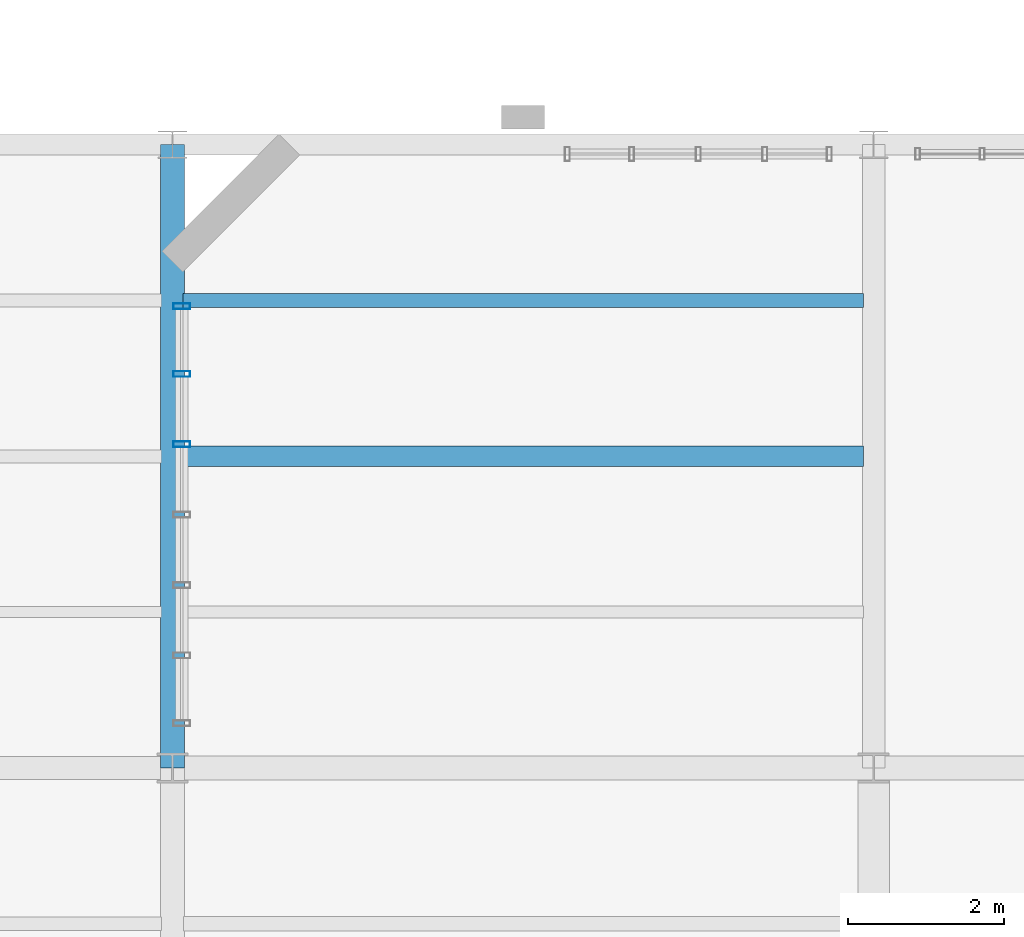
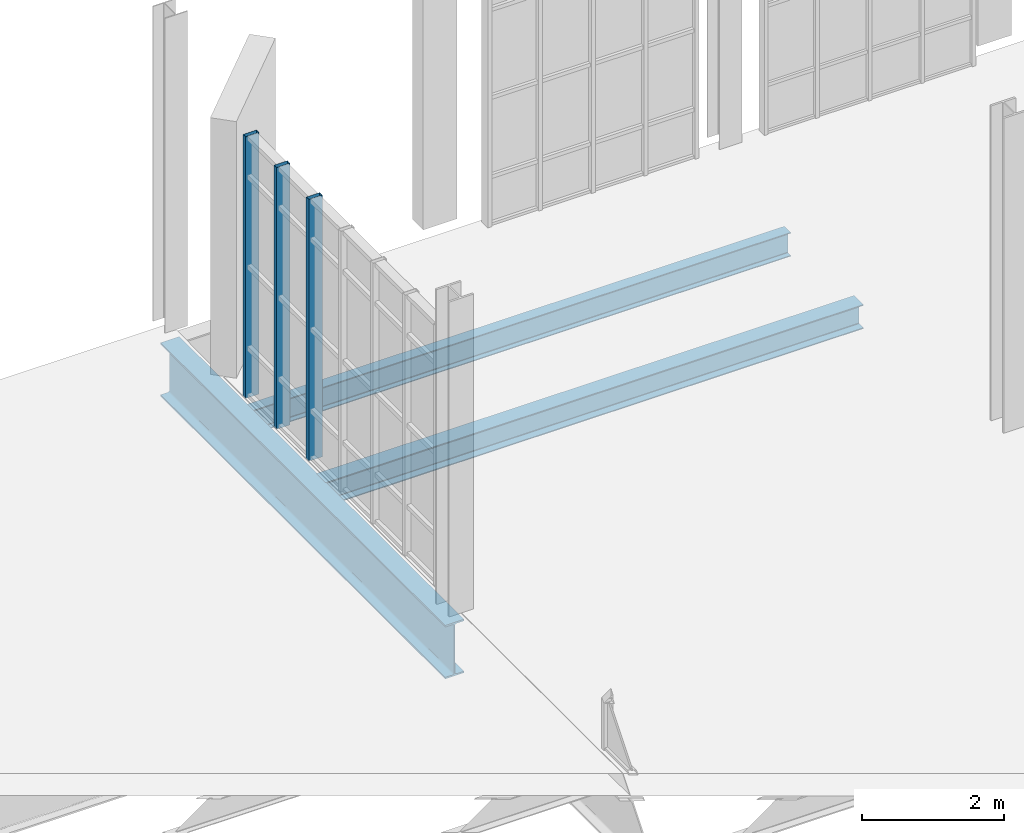
# One storey, part 97 of 189: 3 beams, 3 members, 1 element without a shape of its own.
"""IFC4 building model written with IfcOpenShell, lengths in metres."""

from ifc_helpers import new_model, si_unit, direction, frame, origin, origin_2d, place, context, subcontext, project, spatial, hollow_rectangle, i_section, extrude, material, layer, layer_set, material_profile, profile_set, type_object, element, aggregate, save


model = new_model("IFC4")

# Units and contexts
model_context = context("Model", 3, precision=1e-05, world=origin(), true_north=direction((0.0, 1.0)))
body_context = subcontext(model_context, "Body", "Model", "MODEL_VIEW")
ifc_project = project(units=[si_unit("LENGTHUNIT", "METRE"), si_unit("AREAUNIT", "SQUARE_METRE"), si_unit("VOLUMEUNIT", "CUBIC_METRE"), si_unit("PLANEANGLEUNIT", "RADIAN"), si_unit("MASSUNIT", "GRAM", prefix="KILO"), si_unit("THERMODYNAMICTEMPERATUREUNIT", "KELVIN"), si_unit("POWERUNIT", "WATT")], contexts=[model_context])

# Site, building, storey
site_placement = place(None, origin())
site = spatial("IfcSite", under=ifc_project, at=site_placement, CompositionType="ELEMENT")
building_placement = place(site_placement, origin())
building = spatial("IfcBuilding", under=site, at=building_placement, Name="Zelmaris Science Centre", CompositionType="ELEMENT")
storey_placement = place(building_placement, origin())
storey = spatial("IfcBuildingStorey", under=building, at=storey_placement, Name="L00", CompositionType="ELEMENT", Elevation=0.0)

# Curtain wall, members
ifc_material_1 = material(Name="Anodised architectural aluminium 6063-T6", Category="aluminium")
ifc_layer = layer(ifc_material_1, 0.199951171875, Name="Anodised architectural aluminium 6063-T6")
ifc_layer_set = layer_set([ifc_layer], Name="Anodised architectural aluminium 6063-T6")
curtain_wall_type = type_object("IfcCurtainWallType", Name="Curtain Wall CW-02", PredefinedType="USERDEFINED", material=ifc_layer_set)
curtain_wall_placement = place(storey_placement, origin())
curtain_wall = element("IfcCurtainWall", 1, at=curtain_wall_placement, inside=storey, type_object=curtain_wall_type, Name="L00 Unitised curtain wall 82", ObjectType="GLAZED CURTAIN WALL", PredefinedType="USERDEFINED")
ifc_material_profile_1 = material_profile(ifc_material_1, hollow_rectangle(XDim=0.074951171875, YDim=0.219970703125, WallThickness=0.0048828125, at=origin_2d()), Name="ALU-MUL-75X220")
ifc_profile_set_1 = profile_set([ifc_material_profile_1], Name="Anodised architectural aluminium 6063-T6")
member_type = type_object("IfcMemberType", Name="ALU-MUL-75X220", PredefinedType="MULLION", material=ifc_profile_set_1)
member_1_placement = place(storey_placement, frame((90.1201171875, 84.1533203125, -0.014892578125), z_axis=(0.0, 0.0, 1.0), x_axis=(0.0, 1.0, 0.0)))
member_1 = element("IfcMember", 2, at=member_1_placement, type_object=member_type, Name="CW-02 mullion 5", PredefinedType="MULLION", context=body_context, shape_type="SweptSolid", body=[
    extrude(hollow_rectangle(XDim=0.074951171875, YDim=0.219970703125, WallThickness=0.0048828125, at=origin_2d()), origin(), (0.0, 0.0, 1.0), 4.48779296875),
])
member_2_placement = place(storey_placement, frame((90.1201171875, 85.056640625, -0.014892578125), z_axis=(0.0, 0.0, 1.0), x_axis=(0.0, 1.0, 0.0)))
member_2 = element("IfcMember", 3, at=member_2_placement, type_object=member_type, Name="CW-02 mullion 6", PredefinedType="MULLION", context=body_context, shape_type="SweptSolid", body=[
    extrude(hollow_rectangle(XDim=0.074951171875, YDim=0.219970703125, WallThickness=0.0048828125, at=origin_2d()), origin(), (0.0, 0.0, 1.0), 4.48779296875),
])
member_3_placement = place(storey_placement, frame((90.1201171875, 85.926513671875, -0.014892578125), z_axis=(0.0, 0.0, 1.0), x_axis=(0.0, 1.0, 0.0)))
member_3 = element("IfcMember", 4, at=member_3_placement, type_object=member_type, Name="CW-02 mullion 7", PredefinedType="MULLION", context=body_context, shape_type="SweptSolid", body=[
    extrude(hollow_rectangle(XDim=0.074951171875, YDim=0.219970703125, WallThickness=0.0048828125, at=origin_2d()), origin(), (0.0, 0.0, 1.0), 4.48779296875),
])
aggregate(curtain_wall, [member_1, member_2, member_3])

# Beams
ifc_material_2 = material(Name="Steel ASTM A992 Grade 50", Category="steel")
ifc_material_profile_2 = material_profile(ifc_material_2, i_section(OverallWidth=0.304931640625, OverallDepth=0.9189453125, WebThickness=0.017333984375, FlangeThickness=0.02783203125, FilletRadius=0.02392578125, at=origin_2d()), Name="W36X170")
ifc_profile_set_2 = profile_set([ifc_material_profile_2], Name="Steel ASTM A992 Grade 50")
beam_type_1 = type_object("IfcBeamType", Name="Beam G-26 W36X170", PredefinedType="BEAM", material=ifc_profile_set_2)
beam_1_placement = place(storey_placement, frame((90.0, 80.0, -0.739501953125), z_axis=(0.0, 1.0, 0.0), x_axis=(-1.0, 0.0, 0.0)))
element("IfcBeam", 5, at=beam_1_placement, inside=storey, type_object=beam_type_1, Name="L00 North-south girder 46", PredefinedType="BEAM", context=body_context, shape_type="SweptSolid", body=[
    extrude(i_section(OverallWidth=0.304931640625, OverallDepth=0.9189453125, WebThickness=0.017333984375, FlangeThickness=0.02783203125, FilletRadius=0.02392578125, at=origin_2d()), origin(), (0.0, 0.0, 1.0), 8.0),
])
ifc_material_profile_3 = material_profile(ifc_material_2, i_section(OverallWidth=0.260009765625, OverallDepth=0.4140625, WebThickness=0.010009765625, FlangeThickness=0.016845703125, FilletRadius=0.011962890625, at=origin_2d()), Name="W16X67")
ifc_profile_set_3 = profile_set([ifc_material_profile_3], Name="Steel ASTM A992 Grade 50")
beam_type_2 = type_object("IfcBeamType", Name="Beam J-06 W16X67", PredefinedType="JOIST", material=ifc_profile_set_3)
beam_2_placement = place(storey_placement, frame((90.137451171875, 84.0, -0.487060546875), z_axis=(1.0, 0.0, 0.0), x_axis=(0.0, 1.0, 0.0)))
element("IfcBeam", 6, at=beam_2_placement, inside=storey, type_object=beam_type_2, Name="L00 Composite floor joist 68", PredefinedType="JOIST", context=body_context, shape_type="SweptSolid", body=[
    extrude(i_section(OverallWidth=0.260009765625, OverallDepth=0.4140625, WebThickness=0.010009765625, FlangeThickness=0.016845703125, FilletRadius=0.011962890625, at=origin_2d()), origin(), (0.0, 0.0, 1.0), 8.7314453125),
])
ifc_material_profile_4 = material_profile(ifc_material_2, i_section(OverallWidth=0.177978515625, OverallDepth=0.408935546875, WebThickness=0.0087890625, FlangeThickness=0.014404296875, FilletRadius=0.011962890625, at=origin_2d()), Name="W16X45")
ifc_profile_set_4 = profile_set([ifc_material_profile_4], Name="Steel ASTM A992 Grade 50")
beam_type_3 = type_object("IfcBeamType", Name="Beam J-07 W16X45", PredefinedType="JOIST", material=ifc_profile_set_4)
beam_3_placement = place(storey_placement, frame((90.137451171875, 86.0, -0.484619140625), z_axis=(1.0, 0.0, 0.0), x_axis=(0.0, 1.0, 0.0)))
element("IfcBeam", 7, at=beam_3_placement, inside=storey, type_object=beam_type_3, Name="L00 Composite floor joist 69", PredefinedType="JOIST", context=body_context, shape_type="SweptSolid", body=[
    extrude(i_section(OverallWidth=0.177978515625, OverallDepth=0.408935546875, WebThickness=0.0087890625, FlangeThickness=0.014404296875, FilletRadius=0.011962890625, at=origin_2d()), origin(), (0.0, 0.0, 1.0), 8.7314453125),
])

save(model, "model.ifc")
